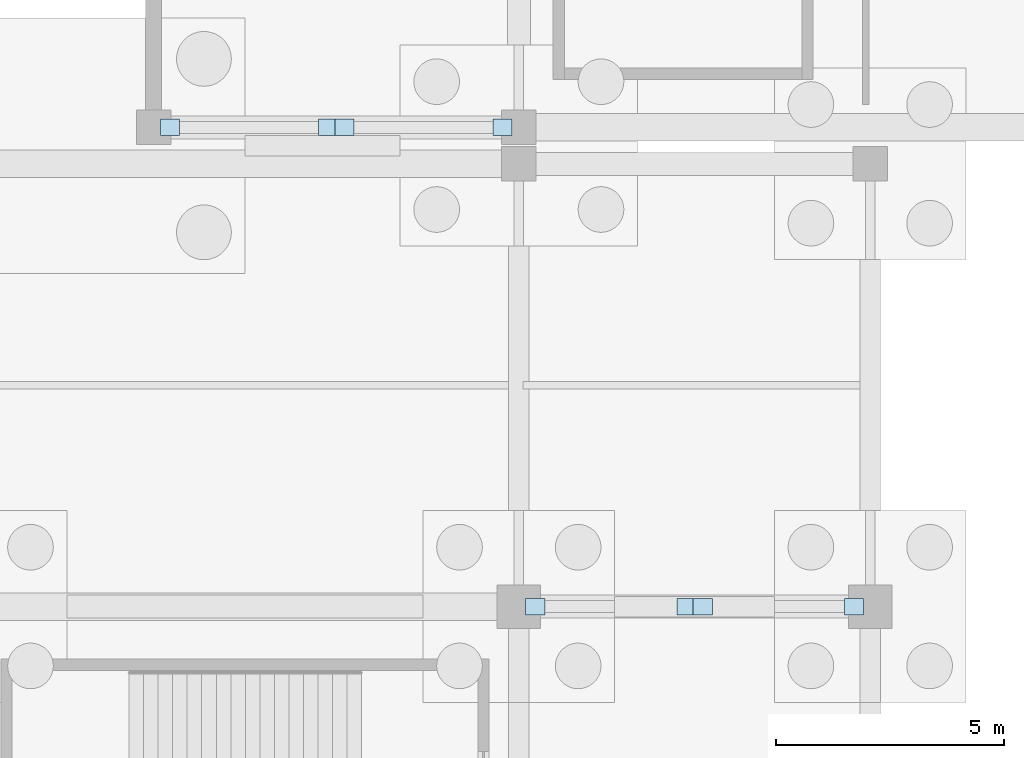
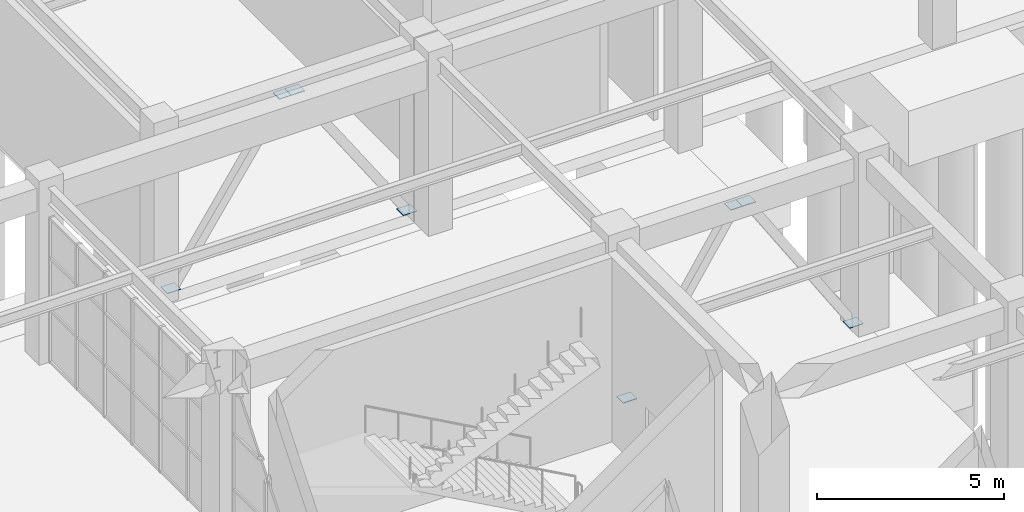
# One storey, part 79 of 121: 8 plates.
"""IFC4 building model written with IfcOpenShell, lengths in metres."""

from ifc_helpers import new_model, si_unit, direction, frame, origin, origin_2d, place, context, subcontext, project, spatial, rectangle, extrude, material, layer, layer_set, type_object, element, save


model = new_model("IFC4")

# Units and contexts
model_context = context("Model", 3, precision=1e-05, world=origin(), true_north=direction((0.0, 1.0)))
body_context = subcontext(model_context, "Body", "Model", "MODEL_VIEW")
ifc_project = project(units=[si_unit("LENGTHUNIT", "METRE"), si_unit("AREAUNIT", "SQUARE_METRE"), si_unit("VOLUMEUNIT", "CUBIC_METRE"), si_unit("PLANEANGLEUNIT", "RADIAN"), si_unit("MASSUNIT", "GRAM", prefix="KILO")], contexts=[model_context])

# Site, building, storey
site_placement = place(None, origin())
site = spatial("IfcSite", under=ifc_project, at=site_placement, CompositionType="ELEMENT")
building_placement = place(site_placement, origin())
building = spatial("IfcBuilding", under=site, at=building_placement, Name="Cuetzalor Civic Arena", CompositionType="ELEMENT")
storey_placement = place(building_placement, origin())
storey = spatial("IfcBuildingStorey", under=building, at=storey_placement, Name="L00", CompositionType="ELEMENT", Elevation=0.0)

# Plates
ifc_material = material(Name="Steel S355", Category="steel")
ifc_layer = layer(ifc_material, 0.02001953125)
ifc_layer_set = layer_set([ifc_layer], Name="Steel S355")
plate_type = type_object("IfcPlateType", Name="TubeEndCapPlate_CP01", PredefinedType="SHEET", material=ifc_layer_set)
for number, where, z_axis, x_axis, name in (
    (1, (-71.639892578125, 35.5, 0.139892578125), (0.0, 0.0, 1.0), (1.0, 0.0, 0.0), "Brace End Cap Plate 001-1"),
    (2, (-68.179931640625, 35.5, 5.27001953125), (0.0, 0.0, 1.0), (1.0, 0.0, 0.0), "Brace End Cap Plate 001-2"),
    (3, (-64.360107421875, 35.5, 0.139892578125), (0.0, 0.0, 1.0), (1.0, 0.0, 0.0), "Brace End Cap Plate 002-1"),
    (4, (-67.820068359375, 35.5, 5.27001953125), (0.0, 0.0, 1.0), (1.0, 0.0, 0.0), "Brace End Cap Plate 002-2"),
    (5, (-63.639892578125, 25.0, 0.139892578125), (0.0, 0.0, 1.0), (1.0, 0.0, 0.0), "Brace End Cap Plate 013-1"),
    (6, (-60.330078125, 25.0, 5.27001953125), (0.0, 0.0, 1.0), (1.0, 0.0, 0.0), "Brace End Cap Plate 013-2"),
    (7, (-56.659912109375, 25.0, 0.139892578125), (0.0, 0.0, 1.0), (1.0, 0.0, 0.0), "Brace End Cap Plate 014-1"),
    (8, (-59.969970703125, 25.0, 5.27001953125), (0.0, 0.0, 1.0), (1.0, 0.0, 0.0), "Brace End Cap Plate 014-2"),
):
    element("IfcPlate", number, at=place(storey_placement, frame(where, z_axis=z_axis, x_axis=x_axis)), inside=storey, type_object=plate_type, Name=name, PredefinedType="SHEET", context=body_context, shape_type="SweptSolid", body=[
        extrude(rectangle(XDim=0.419921875, YDim=0.360107421875, at=origin_2d()), origin(), (0.0, 0.0, 1.0), 0.02001953125),
    ])

save(model, "model.ifc")
